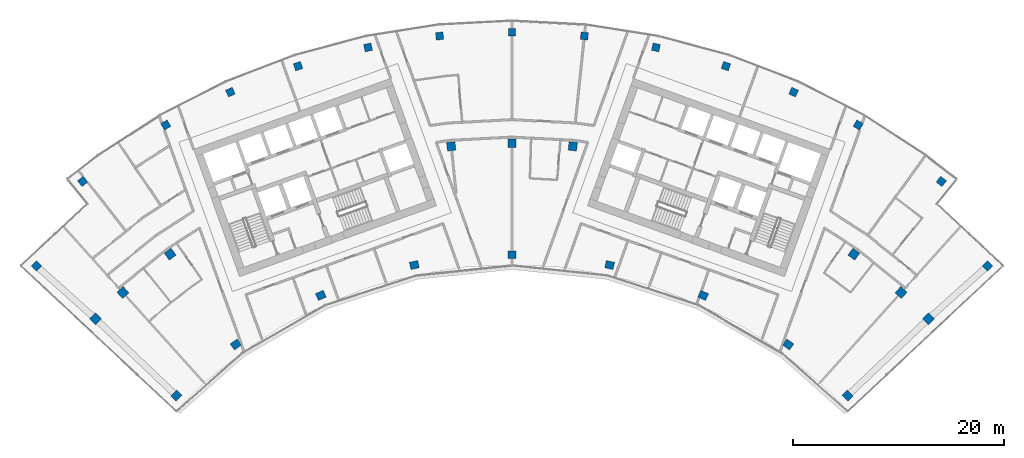
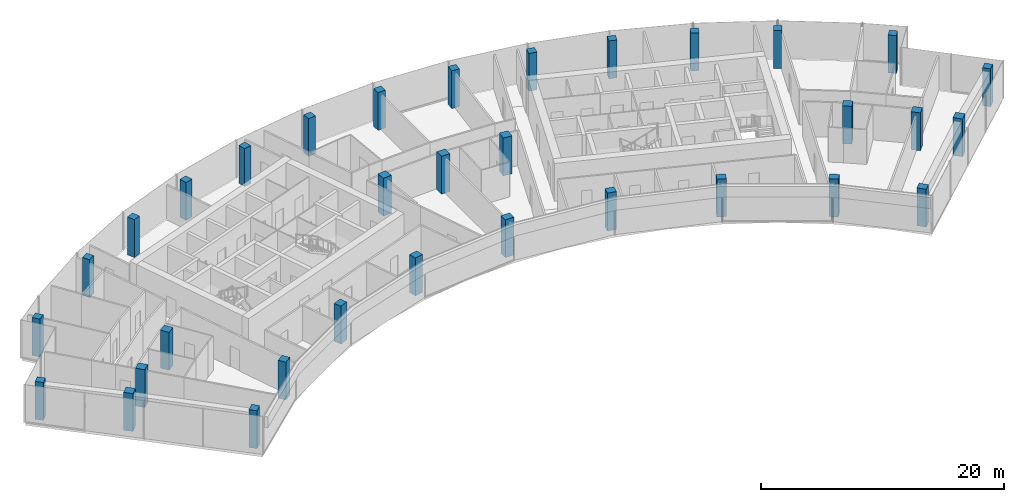
# One storey, part 1 of 18: 33 columns.
"""IFC4 building model written with IfcOpenShell, lengths in metres."""

from ifc_helpers import new_model, si_unit, direction, frame, origin, origin_2d, place, context, subcontext, project, spatial, rectangle, extrude, material, material_profile, profile_set, type_object, element, save


model = new_model("IFC4")

# Units and contexts
model_context = context("Model", 3, precision=1e-05, world=origin(), true_north=direction((0.0, 1.0)))
body_context = subcontext(model_context, "Body", "Model", "MODEL_VIEW")
ifc_project = project(units=[si_unit("LENGTHUNIT", "METRE"), si_unit("AREAUNIT", "SQUARE_METRE"), si_unit("VOLUMEUNIT", "CUBIC_METRE"), si_unit("PLANEANGLEUNIT", "RADIAN"), si_unit("MASSUNIT", "GRAM", prefix="KILO")], contexts=[model_context])

# Site, building, storey
site_placement = place(None, origin())
site = spatial("IfcSite", under=ifc_project, at=site_placement, CompositionType="ELEMENT")
building_placement = place(site_placement, origin())
building = spatial("IfcBuilding", under=site, at=building_placement, Name="Stone Belt Terrace Tower", CompositionType="ELEMENT")
storey_placement = place(building_placement, frame((0.0, 0.0, 296.0)))
storey = spatial("IfcBuildingStorey", under=building, at=storey_placement, Name="L72", CompositionType="ELEMENT", Elevation=296.0)

# Columns
ifc_material = material(Name="Concrete B60", Category="concrete")
ifc_material_profile_1 = material_profile(ifc_material, rectangle(XDim=0.699951171875, YDim=0.699951171875, at=origin_2d()), Name="RC 700x700")
ifc_profile_set_1 = profile_set([ifc_material_profile_1], Name="Concrete B60")
column_type_1 = type_object("IfcColumnType", Name="Column RC 700x700 B60", PredefinedType="COLUMN", material=ifc_profile_set_1)
for number, where, z_axis, x_axis, name in (
    (1, (-44.97705078125, 43.381103515625, 0.0), (0.0, 0.0, 1.0), (0.694221333646, 0.719761585465, 0.0), "Column L72 RA"),
    (2, (44.97705078125, 43.381103515625, 0.0), (0.0, 0.0, 1.0), (0.694221333646, -0.719761585465, 0.0), "Column L72 RB"),
    (3, (-40.605712890625, 51.380615234375, 0.0), (0.0, 0.0, 1.0), (0.784569718703, 0.620040608746, 0.0), "Column L72 RNA"),
    (4, (-32.744384765625, 56.715087890625, 0.0), (0.0, 0.0, 1.0), (0.866025403784, 0.5, 0.0), "Column L72 R17"),
    (5, (-26.63671875, 59.8271484375, 0.0), (0.0, 0.0, 1.0), (0.913545457643, 0.406736643076, 0.0), "Column L72 R18"),
    (6, (-20.2373046875, 62.28369140625, 0.0), (0.0, 0.0, 1.0), (0.951056516295, 0.309016994375, 0.0), "Column L72 R19"),
    (7, (-13.615966796875, 64.057861328125, 0.0), (0.0, 0.0, 1.0), (0.978147600734, 0.207911690818, 0.0), "Column L72 R20"),
    (8, (-6.845458984375, 65.130126953125, 0.0), (0.0, 0.0, 1.0), (0.994521895368, 0.104528463268, 0.0), "Column L72 R21"),
    (9, (0.0, 65.489013671875, 0.0), (0.0, 0.0, 1.0), (1.0, 0.0, 0.0), "Column L72 R22"),
    (10, (6.845458984375, 65.130126953125, 0.0), (0.0, 0.0, 1.0), (0.994521895368, -0.104528463268, 0.0), "Column L72 R23"),
    (11, (13.615966796875, 64.057861328125, 0.0), (0.0, 0.0, 1.0), (0.978147600734, -0.207911690818, 0.0), "Column L72 R24"),
    (12, (20.2373046875, 62.28369140625, 0.0), (0.0, 0.0, 1.0), (0.951056516295, -0.309016994375, 0.0), "Column L72 R25"),
    (13, (26.63671875, 59.8271484375, 0.0), (0.0, 0.0, 1.0), (0.913545457643, -0.406736643076, 0.0), "Column L72 R26"),
    (14, (32.744384765625, 56.715087890625, 0.0), (0.0, 0.0, 1.0), (0.866025403784, -0.5, 0.0), "Column L72 R27"),
    (15, (40.605712890625, 51.380615234375, 0.0), (0.0, 0.0, 1.0), (0.784569718703, -0.620040608746, 0.0), "Column L72 RNB"),
):
    element("IfcColumn", number, at=place(storey_placement, frame(where, z_axis=z_axis, x_axis=x_axis)), inside=storey, type_object=column_type_1, Name=name, PredefinedType="COLUMN", context=body_context, shape_type="SweptSolid", body=[
        extrude(rectangle(XDim=0.699951171875, YDim=0.699951171875, at=origin_2d()), origin(), (0.0, 0.0, 1.0), 3.800048828125),
    ])
ifc_material_profile_2 = material_profile(ifc_material, rectangle(XDim=0.800048828125, YDim=0.699951171875, at=origin_2d()), Name="RC 800x700")
ifc_profile_set_2 = profile_set([ifc_material_profile_2], Name="Concrete B60")
column_type_2 = type_object("IfcColumnType", Name="Column RC 800x700 B60", PredefinedType="COLUMN", material=ifc_profile_set_2)
for number, where, z_axis, x_axis, name in (
    (16, (-31.73486328125, 31.11669921875, 0.0), (0.0, 0.0, 1.0), (0.700119596097, 0.714025595592, 0.0), "Column L72 PA"),
    (17, (-26.1240234375, 35.956787109375, 0.0), (0.0, 0.0, 1.0), (0.809016994375, 0.587785252292, 0.0), "Column L72 P16"),
    (18, (-18.077392578125, 40.6025390625, 0.0), (0.0, 0.0, 1.0), (0.913545457643, 0.406736643076, 0.0), "Column L72 P18"),
    (19, (-9.240478515625, 43.473876953125, 0.0), (0.0, 0.0, 1.0), (0.978147600734, 0.207911690818, 0.0), "Column L72 P20"),
    (20, (0.0, 44.445068359375, 0.0), (0.0, 0.0, 1.0), (1.0, 0.0, 0.0), "Column L72 P22"),
    (21, (9.240478515625, 43.473876953125, 0.0), (0.0, 0.0, 1.0), (0.978147600734, -0.207911690818, 0.0), "Column L72 P24"),
    (22, (18.077392578125, 40.6025390625, 0.0), (0.0, 0.0, 1.0), (0.913545457643, -0.406736643076, 0.0), "Column L72 P26"),
    (23, (26.1240234375, 35.956787109375, 0.0), (0.0, 0.0, 1.0), (0.809016994375, -0.587785252292, 0.0), "Column L72 P28"),
    (24, (31.73486328125, 31.11669921875, 0.0), (0.0, 0.0, 1.0), (0.700119596097, -0.714025595592, 0.0), "Column L72 PB"),
):
    element("IfcColumn", number, at=place(storey_placement, frame(where, z_axis=z_axis, x_axis=x_axis)), inside=storey, type_object=column_type_2, Name=name, PredefinedType="COLUMN", context=body_context, shape_type="SweptSolid", body=[
        extrude(rectangle(XDim=0.800048828125, YDim=0.699951171875, at=origin_2d()), origin(), (0.0, 0.0, 1.0), 3.800048828125),
    ])
ifc_material_profile_3 = material_profile(ifc_material, rectangle(XDim=0.800048828125, YDim=0.800048828125, at=origin_2d()), Name="RC 800x800")
ifc_profile_set_3 = profile_set([ifc_material_profile_3], Name="Concrete B60")
column_type_3 = type_object("IfcColumnType", Name="Column RC 800x800 B60", PredefinedType="COLUMN", material=ifc_profile_set_3)
for number, where, z_axis, x_axis, name in (
    (25, (-39.38818359375, 38.386962890625, 0.0), (0.0, 0.0, 1.0), (0.697944216238, 0.716152128406, 0.0), "Column L72 QA"),
    (26, (-36.80224609375, 40.873046875, 0.0), (0.0, 0.0, 1.0), (0.743144825477, 0.669130606359, 0.0), "Column L72 Q15"),
    (27, (-32.328125, 44.495849609375, 0.0), (0.0, 0.0, 1.0), (0.809016994375, 0.587785252292, 0.0), "Column L72 Q16"),
    (28, (-5.7490234375, 54.69873046875, 0.0), (0.0, 0.0, 1.0), (0.994521895368, 0.104528463268, 0.0), "Column L72 Q21"),
    (29, (0.0, 55.0, 0.0), (0.0, 0.0, 1.0), (1.0, 0.0, 0.0), "Column L72 Q22"),
    (30, (5.7490234375, 54.69873046875, 0.0), (0.0, 0.0, 1.0), (0.994521895368, -0.104528463268, 0.0), "Column L72 Q23"),
    (31, (32.328125, 44.495849609375, 0.0), (0.0, 0.0, 1.0), (0.809016994375, -0.587785252292, 0.0), "Column L72 Q28"),
    (32, (36.80224609375, 40.873046875, 0.0), (0.0, 0.0, 1.0), (0.743144825477, -0.669130606359, 0.0), "Column L72 Q29"),
    (33, (39.38818359375, 38.386962890625, 0.0), (0.0, 0.0, 1.0), (0.697944216238, -0.716152128406, 0.0), "Column L72 QB"),
):
    element("IfcColumn", number, at=place(storey_placement, frame(where, z_axis=z_axis, x_axis=x_axis)), inside=storey, type_object=column_type_3, Name=name, PredefinedType="COLUMN", context=body_context, shape_type="SweptSolid", body=[
        extrude(rectangle(XDim=0.800048828125, YDim=0.800048828125, at=origin_2d()), origin(), (0.0, 0.0, 1.0), 3.800048828125),
    ])

save(model, "model.ifc")
